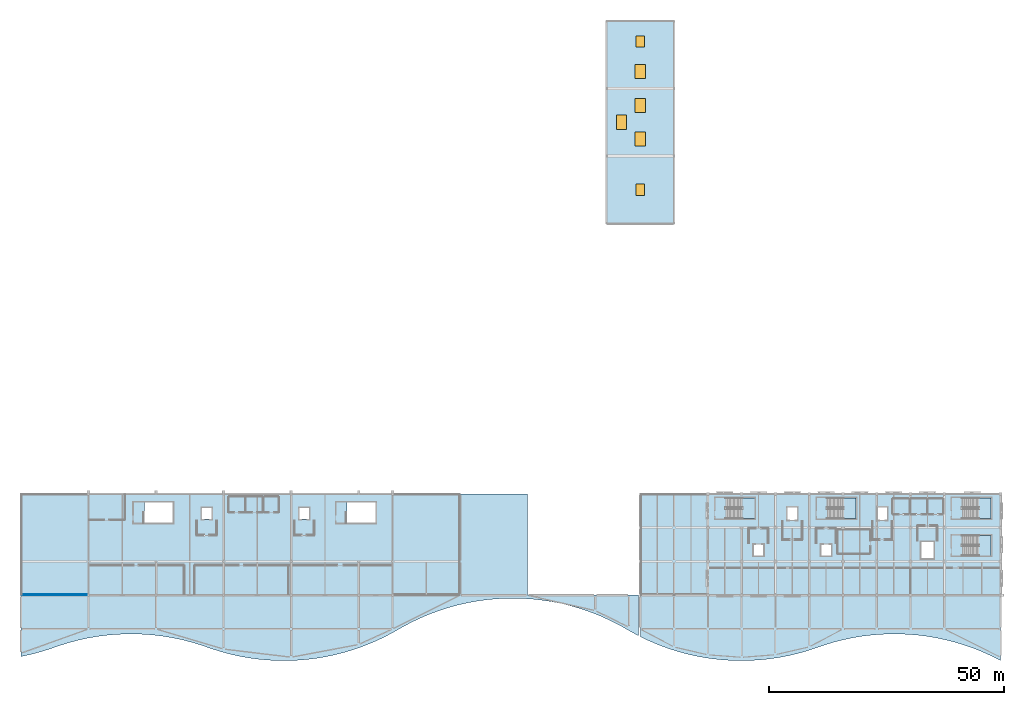
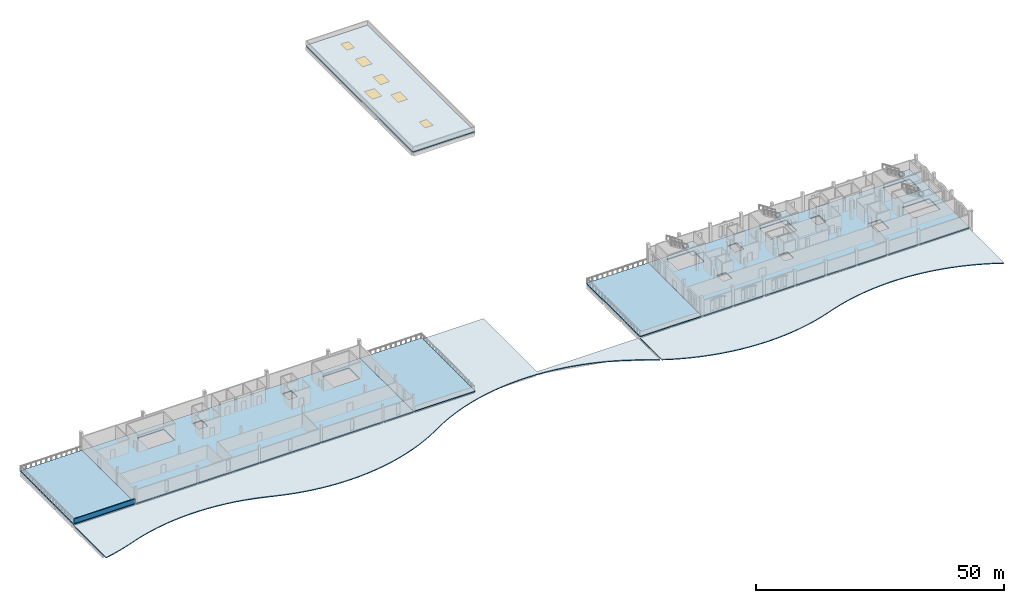
# One storey, part 5 of 23: 12 slabs, 6 windows, 1 wall, 6 openings, 4 elements without a shape of their own.
"""IFC4 building model written with IfcOpenShell, lengths in metres."""

from ifc_helpers import new_model, si_unit, direction, frame, frame_2d, origin, origin_2d, place, context, subcontext, project, spatial, polyline, rectangle, outline, extrude, material, layer, layer_set, type_object, element, fill, aggregate, save


model = new_model("IFC4")

# Units and contexts
model_context = context("Model", 3, precision=1e-05, world=origin(), true_north=direction((0.0, 1.0)))
body_context = subcontext(model_context, "Body", "Model", "MODEL_VIEW")
ifc_project = project(units=[si_unit("LENGTHUNIT", "METRE"), si_unit("AREAUNIT", "SQUARE_METRE"), si_unit("VOLUMEUNIT", "CUBIC_METRE"), si_unit("PLANEANGLEUNIT", "RADIAN"), si_unit("MASSUNIT", "GRAM", prefix="KILO")], contexts=[model_context])

# Site, building, storey
site_placement = place(None, origin())
site = spatial("IfcSite", under=ifc_project, at=site_placement, CompositionType="ELEMENT")
building_placement = place(site_placement, origin())
building = spatial("IfcBuilding", under=site, at=building_placement, Name="Cendralis Lancet Convention Centre", CompositionType="ELEMENT")
storey_placement = place(building_placement, frame((0.0, 0.0, 19.800048828125)))
storey = spatial("IfcBuildingStorey", under=building, at=storey_placement, Name="L04", CompositionType="ELEMENT", Elevation=19.800048828125)

# Slabs
ifc_material_1 = material(Name="Concrete G35 (C35/45)", Category="concrete")
ifc_layer_1 = layer(ifc_material_1, 0.239990234375, Name="Concrete G35 (C35/45)")
ifc_layer_set_1 = layer_set([ifc_layer_1], Name="Concrete G35 (C35/45)")
slab_type_1 = type_object("IfcSlabType", Name="STR-SL-FS24", PredefinedType="FLOOR", material=ifc_layer_set_1)
slab_1_placement = place(storey_placement, frame((0.0, 0.0, -0.239990234375)))
element("IfcSlab", 1, at=slab_1_placement, inside=storey, type_object=slab_type_1, Name="L04 V4 Floor Slab FS-240", PredefinedType="FLOOR", context=body_context, shape_type="SweptSolid", body=[
    extrude(outline(polyline([(14.39990234375, 14.39990234375), (79.199951171875, 14.39990234375), (79.199951171875, 36.0), (14.39990234375, 36.0), (14.39990234375, 14.39990234375)]), holes=[polyline([(26.31005859375, 29.800048828125), (32.39990234375, 29.800048828125), (32.39990234375, 34.179931640625), (26.31005859375, 34.179931640625), (26.31005859375, 29.800048828125)]), polyline([(69.510009765625, 29.800048828125), (75.60009765625, 29.800048828125), (75.60009765625, 34.179931640625), (69.510009765625, 34.179931640625), (69.510009765625, 29.800048828125)]), polyline([(38.550048828125, 30.60009765625), (40.64990234375, 30.60009765625), (40.64990234375, 33.0), (38.550048828125, 33.0), (38.550048828125, 30.60009765625)]), polyline([(59.35009765625, 30.60009765625), (61.449951171875, 30.60009765625), (61.449951171875, 33.0), (59.35009765625, 33.0), (59.35009765625, 30.60009765625)])]), origin(), (0.0, 0.0, 1.0), 0.239990234375),
])
slab_2_placement = place(storey_placement, frame((0.0, 0.0, -0.239990234375)))
element("IfcSlab", 2, at=slab_2_placement, inside=storey, type_object=slab_type_1, Name="L04 V5 Floor Slab FS-240", PredefinedType="FLOOR", context=body_context, shape_type="SweptSolid", body=[
    extrude(outline(polyline([(146.39990234375, 14.39990234375), (208.800048828125, 14.39990234375), (208.800048828125, 36.0), (146.39990234375, 36.0), (146.39990234375, 14.39990234375)]), holes=[polyline([(150.31005859375, 30.75), (156.39990234375, 30.75), (156.39990234375, 35.1298828125), (150.31005859375, 35.1298828125), (150.31005859375, 30.75)]), polyline([(171.909912109375, 30.75), (178.0, 30.75), (178.0, 35.1298828125), (171.909912109375, 35.1298828125), (171.909912109375, 30.75)]), polyline([(200.7099609375, 22.800048828125), (206.800048828125, 22.800048828125), (206.800048828125, 27.179931640625), (200.7099609375, 27.179931640625), (200.7099609375, 22.800048828125)]), polyline([(200.7099609375, 30.75), (206.800048828125, 30.75), (206.800048828125, 35.1298828125), (200.7099609375, 35.1298828125), (200.7099609375, 30.75)]), polyline([(163.35009765625, 30.449951171875), (165.449951171875, 30.449951171875), (165.449951171875, 33.14990234375), (163.35009765625, 33.14990234375), (163.35009765625, 30.449951171875)]), polyline([(182.550048828125, 30.449951171875), (184.64990234375, 30.449951171875), (184.64990234375, 33.14990234375), (182.550048828125, 33.14990234375), (182.550048828125, 30.449951171875)]), polyline([(156.14990234375, 22.800048828125), (158.25, 22.800048828125), (158.25, 25.199951171875), (156.14990234375, 25.199951171875), (156.14990234375, 22.800048828125)]), polyline([(170.550048828125, 22.800048828125), (172.64990234375, 22.800048828125), (172.64990234375, 25.199951171875), (170.550048828125, 25.199951171875), (170.550048828125, 22.800048828125)]), polyline([(191.85009765625, 22.25), (194.550048828125, 22.25), (194.550048828125, 25.75), (191.85009765625, 25.75), (191.85009765625, 22.25)])]), origin(), (0.0, 0.0, 1.0), 0.239990234375),
])

# Stair, slab
stair_type = type_object("IfcStairType", Name="ARC-ST-CORE", PredefinedType="HALF_TURN_STAIR", material=ifc_material_1)
stair_1_placement = place(storey_placement, origin())
stair_1 = element("IfcStair", 3, at=stair_1_placement, inside=storey, type_object=stair_type, Name="L04 Protected Exit Stair ST-13", PredefinedType="HALF_TURN_STAIR")
ifc_layer_2 = layer(ifc_material_1, 0.199951171875, Name="Concrete G35 (C35/45)")
ifc_layer_set_2 = layer_set([ifc_layer_2], Name="Concrete G35 (C35/45)")
slab_type_2 = type_object("IfcSlabType", Name="STR-SL-LAND", PredefinedType="LANDING", material=ifc_layer_set_2)
slab_3_placement = place(storey_placement, frame((0.0, 0.0, 2.199951171875)))
slab_3 = element("IfcSlab", 4, at=slab_3_placement, type_object=slab_type_2, Name="ST-13 landing 1", PredefinedType="LANDING", context=body_context, shape_type="SweptSolid", body=[
    extrude(outline(polyline([(153.6298828125, 30.75), (156.39990234375, 30.75), (156.39990234375, 35.1298828125), (153.6298828125, 35.1298828125), (153.6298828125, 30.75)])), origin(), (0.0, 0.0, 1.0), 0.199951171875),
])
aggregate(stair_1, [slab_3])

stair_2_placement = place(storey_placement, origin())
stair_2 = element("IfcStair", 5, at=stair_2_placement, inside=storey, type_object=stair_type, Name="L04 Protected Exit Stair ST-14", PredefinedType="HALF_TURN_STAIR")
slab_4_placement = place(storey_placement, frame((0.0, 0.0, 2.199951171875)))
slab_4 = element("IfcSlab", 6, at=slab_4_placement, type_object=slab_type_2, Name="ST-14 landing 1", PredefinedType="LANDING", context=body_context, shape_type="SweptSolid", body=[
    extrude(outline(polyline([(175.22998046875, 30.75), (178.0, 30.75), (178.0, 35.1298828125), (175.22998046875, 35.1298828125), (175.22998046875, 30.75)])), origin(), (0.0, 0.0, 1.0), 0.199951171875),
])
aggregate(stair_2, [slab_4])

stair_3_placement = place(storey_placement, origin())
stair_3 = element("IfcStair", 7, at=stair_3_placement, inside=storey, type_object=stair_type, Name="L04 Protected Exit Stair ST-15", PredefinedType="HALF_TURN_STAIR")
slab_5_placement = place(storey_placement, frame((0.0, 0.0, 2.199951171875)))
slab_5 = element("IfcSlab", 8, at=slab_5_placement, type_object=slab_type_2, Name="ST-15 landing 1", PredefinedType="LANDING", context=body_context, shape_type="SweptSolid", body=[
    extrude(outline(polyline([(204.030029296875, 22.800048828125), (206.800048828125, 22.800048828125), (206.800048828125, 27.179931640625), (204.030029296875, 27.179931640625), (204.030029296875, 22.800048828125)])), origin(), (0.0, 0.0, 1.0), 0.199951171875),
])
aggregate(stair_3, [slab_5])

stair_4_placement = place(storey_placement, origin())
stair_4 = element("IfcStair", 9, at=stair_4_placement, inside=storey, type_object=stair_type, Name="L04 Protected Exit Stair ST-16", PredefinedType="HALF_TURN_STAIR")
slab_6_placement = place(storey_placement, frame((0.0, 0.0, 2.199951171875)))
slab_6 = element("IfcSlab", 10, at=slab_6_placement, type_object=slab_type_2, Name="ST-16 landing 1", PredefinedType="LANDING", context=body_context, shape_type="SweptSolid", body=[
    extrude(outline(polyline([(204.030029296875, 30.75), (206.800048828125, 30.75), (206.800048828125, 35.1298828125), (204.030029296875, 35.1298828125), (204.030029296875, 30.75)])), origin(), (0.0, 0.0, 1.0), 0.199951171875),
])
aggregate(stair_4, [slab_6])

# Slab, openings, windows
ifc_layer_3 = layer(ifc_material_1, 0.199951171875, Name="Concrete G35 (C35/45)")
ifc_layer_set_3 = layer_set([ifc_layer_3], Name="Concrete G35 (C35/45)")
slab_type_3 = type_object("IfcSlabType", Name="STR-SL-RF20", PredefinedType="ROOF", material=ifc_layer_set_3)
slab_7_placement = place(storey_placement, frame((0.0, 0.0, -0.25)))
slab_7 = element("IfcSlab", 11, at=slab_7_placement, inside=storey, type_object=slab_type_3, Name="L04 Roof Deck Slab V3PAV", PredefinedType="ROOF", context=body_context, shape_type="SweptSolid", body=[
    extrude(outline(polyline([(124.800048828125, 93.60009765625), (139.199951171875, 93.60009765625), (139.199951171875, 136.800048828125), (124.800048828125, 136.800048828125), (124.800048828125, 93.60009765625)])), origin(), (0.0, 0.0, 1.0), 0.25),
])
opening_1_placement = place(slab_7_placement, frame((132.0, 100.800048828125, -0.010009765625)))
opening_1 = element("IfcOpeningElement", 12, at=opening_1_placement, cuts=slab_7, Name="Opening SK-01", PredefinedType="OPENING", context=body_context, shape_type="SweptSolid", body=[
    extrude(rectangle(XDim=1.800048828125, YDim=2.39990234375, at=origin_2d()), origin(), (0.0, 0.0, 1.0), 0.27001953125),
])
opening_2_placement = place(slab_7_placement, frame((132.0, 111.60009765625, -0.010009765625)))
opening_2 = element("IfcOpeningElement", 13, at=opening_2_placement, cuts=slab_7, Name="Opening SK-02", PredefinedType="OPENING", context=body_context, shape_type="SweptSolid", body=[
    extrude(rectangle(XDim=2.199951171875, YDim=3.0, at=origin_2d()), origin(), (0.0, 0.0, 1.0), 0.27001953125),
])
opening_3_placement = place(slab_7_placement, frame((132.0, 118.800048828125, -0.010009765625)))
opening_3 = element("IfcOpeningElement", 14, at=opening_3_placement, cuts=slab_7, Name="Opening SK-02", PredefinedType="OPENING", context=body_context, shape_type="SweptSolid", body=[
    extrude(rectangle(XDim=2.199951171875, YDim=3.0, at=origin_2d()), origin(), (0.0, 0.0, 1.0), 0.27001953125),
])
opening_4_placement = place(slab_7_placement, frame((132.0, 126.0, -0.010009765625)))
opening_4 = element("IfcOpeningElement", 15, at=opening_4_placement, cuts=slab_7, Name="Opening SK-02", PredefinedType="OPENING", context=body_context, shape_type="SweptSolid", body=[
    extrude(rectangle(XDim=2.199951171875, YDim=3.0, at=origin_2d()), origin(), (0.0, 0.0, 1.0), 0.27001953125),
])
opening_5_placement = place(slab_7_placement, frame((128.0, 115.199951171875, -0.010009765625)))
opening_5 = element("IfcOpeningElement", 16, at=opening_5_placement, cuts=slab_7, Name="Opening SK-02", PredefinedType="OPENING", context=body_context, shape_type="SweptSolid", body=[
    extrude(rectangle(XDim=2.199951171875, YDim=3.0, at=origin_2d()), origin(), (0.0, 0.0, 1.0), 0.27001953125),
])
opening_6_placement = place(slab_7_placement, frame((132.0, 132.39990234375, -0.010009765625)))
opening_6 = element("IfcOpeningElement", 17, at=opening_6_placement, cuts=slab_7, Name="Opening SK-01", PredefinedType="OPENING", context=body_context, shape_type="SweptSolid", body=[
    extrude(rectangle(XDim=1.800048828125, YDim=2.39990234375, at=origin_2d()), origin(), (0.0, 0.0, 1.0), 0.27001953125),
])
ifc_material_2 = material(Name="Double-glazed low-E solar-control glass", Category="glass")
window_type_1 = type_object("IfcWindowType", Name="ARC-SK-SK01", PartitioningType="SINGLE_PANEL", PredefinedType="SKYLIGHT", material=ifc_material_2)
window_1_placement = place(slab_7_placement, frame((132.0, 100.800048828125, 0.199951171875)))
window_1 = element("IfcWindow", 18, at=window_1_placement, inside=storey, type_object=window_type_1, Name="Roof Skylight SK-01 #11", OverallHeight=2.39990234375, OverallWidth=1.800048828125, PartitioningType="SINGLE_PANEL", PredefinedType="SKYLIGHT", context=body_context, shape_type="SweptSolid", body=[
    extrude(rectangle(XDim=1.800048828125, YDim=2.39990234375, at=origin_2d()), origin(), (0.0, 0.0, 1.0), 0.050048828125),
])
fill(opening_1, window_1)
window_2_placement = place(slab_7_placement, frame((132.0, 132.39990234375, 0.199951171875)))
window_2 = element("IfcWindow", 19, at=window_2_placement, inside=storey, type_object=window_type_1, Name="Roof Skylight SK-01 #16", OverallHeight=2.39990234375, OverallWidth=1.800048828125, PartitioningType="SINGLE_PANEL", PredefinedType="SKYLIGHT", context=body_context, shape_type="SweptSolid", body=[
    extrude(rectangle(XDim=1.800048828125, YDim=2.39990234375, at=origin_2d()), origin(), (0.0, 0.0, 1.0), 0.050048828125),
])
fill(opening_6, window_2)
window_type_2 = type_object("IfcWindowType", Name="ARC-SK-SK02", PartitioningType="SINGLE_PANEL", PredefinedType="SKYLIGHT", material=ifc_material_2)
window_3_placement = place(slab_7_placement, frame((132.0, 111.60009765625, 0.199951171875)))
window_3 = element("IfcWindow", 20, at=window_3_placement, inside=storey, type_object=window_type_2, Name="Roof Skylight SK-02 #12", OverallHeight=3.0, OverallWidth=2.199951171875, PartitioningType="SINGLE_PANEL", PredefinedType="SKYLIGHT", context=body_context, shape_type="SweptSolid", body=[
    extrude(rectangle(XDim=2.199951171875, YDim=3.0, at=origin_2d()), origin(), (0.0, 0.0, 1.0), 0.050048828125),
])
fill(opening_2, window_3)
window_4_placement = place(slab_7_placement, frame((132.0, 118.800048828125, 0.199951171875)))
window_4 = element("IfcWindow", 21, at=window_4_placement, inside=storey, type_object=window_type_2, Name="Roof Skylight SK-02 #13", OverallHeight=3.0, OverallWidth=2.199951171875, PartitioningType="SINGLE_PANEL", PredefinedType="SKYLIGHT", context=body_context, shape_type="SweptSolid", body=[
    extrude(rectangle(XDim=2.199951171875, YDim=3.0, at=origin_2d()), origin(), (0.0, 0.0, 1.0), 0.050048828125),
])
fill(opening_3, window_4)
window_5_placement = place(slab_7_placement, frame((132.0, 126.0, 0.199951171875)))
window_5 = element("IfcWindow", 22, at=window_5_placement, inside=storey, type_object=window_type_2, Name="Roof Skylight SK-02 #14", OverallHeight=3.0, OverallWidth=2.199951171875, PartitioningType="SINGLE_PANEL", PredefinedType="SKYLIGHT", context=body_context, shape_type="SweptSolid", body=[
    extrude(rectangle(XDim=2.199951171875, YDim=3.0, at=origin_2d()), origin(), (0.0, 0.0, 1.0), 0.050048828125),
])
fill(opening_4, window_5)
window_6_placement = place(slab_7_placement, frame((128.0, 115.199951171875, 0.199951171875)))
window_6 = element("IfcWindow", 23, at=window_6_placement, inside=storey, type_object=window_type_2, Name="Roof Skylight SK-02 #15", OverallHeight=3.0, OverallWidth=2.199951171875, PartitioningType="SINGLE_PANEL", PredefinedType="SKYLIGHT", context=body_context, shape_type="SweptSolid", body=[
    extrude(rectangle(XDim=2.199951171875, YDim=3.0, at=origin_2d()), origin(), (0.0, 0.0, 1.0), 0.050048828125),
])
fill(opening_5, window_6)

# Slabs
ifc_layer_4 = layer(ifc_material_1, 0.219970703125, Name="Concrete G35 (C35/45)")
ifc_layer_set_4 = layer_set([ifc_layer_4], Name="Concrete G35 (C35/45)")
slab_type_4 = type_object("IfcSlabType", Name="STR-SL-RF22", PredefinedType="ROOF", material=ifc_layer_set_4)
slab_8_placement = place(storey_placement, frame((0.0, 0.0, -0.570068359375)))
element("IfcSlab", 24, at=slab_8_placement, inside=storey, type_object=slab_type_4, Name="L04 Roof Deck Slab V4WAV", PredefinedType="ROOF", context=body_context, shape_type="SweptSolid", body=[
    extrude(outline(polyline([(0.0, 1.324951171875), (2.02490234375, 1.762939453125), (4.050048828125, 2.2939453125), (6.075927734375, 2.9208984375), (8.10107421875, 3.6259765625), (10.1259765625, 4.260009765625), (12.15087890625, 4.798095703125), (14.177001953125, 5.242919921875), (16.201904296875, 5.597900390625), (18.22705078125, 5.864013671875), (20.251953125, 6.04296875), (22.278076171875, 6.135009765625), (24.302978515625, 6.14306640625), (26.327880859375, 6.06396484375), (28.35302734375, 5.89990234375), (30.3779296875, 5.64892578125), (32.404052734375, 5.31005859375), (34.428955078125, 4.8798828125), (36.4541015625, 4.35791015625), (38.47900390625, 3.739990234375), (40.5048828125, 3.035888671875), (42.530029296875, 2.39306640625), (44.554931640625, 1.845947265625), (46.580078125, 1.39306640625), (48.60595703125, 1.030029296875), (50.631103515625, 0.757080078125), (52.656005859375, 0.570068359375), (54.680908203125, 0.468994140625), (56.7060546875, 0.455078125), (58.73193359375, 0.52490234375), (60.757080078125, 0.680908203125), (62.781982421875, 0.925048828125), (64.806884765625, 1.256103515625), (66.8330078125, 1.677001953125), (68.85791015625, 2.19091796875), (70.883056640625, 2.800048828125), (72.907958984375, 3.508056640625), (74.93408203125, 4.321044921875), (76.958984375, 5.243896484375), (78.98388671875, 6.283935546875), (81.009033203125, 7.43896484375), (83.033935546875, 8.531005859375), (85.06005859375, 9.5029296875), (87.0849609375, 10.361083984375), (89.110107421875, 11.113037109375), (91.135009765625, 11.763916015625), (93.160888671875, 12.318115234375), (95.18603515625, 12.777099609375), (97.2109375, 13.14599609375), (99.236083984375, 13.426025390625), (101.261962890625, 13.618896484375), (103.287109375, 13.72607421875), (105.31201171875, 13.7470703125), (107.3369140625, 13.68310546875), (109.362060546875, 13.532958984375), (111.387939453125, 13.2958984375), (113.4130859375, 12.970947265625), (115.43798828125, 12.555908203125), (117.462890625, 12.050048828125), (119.489013671875, 11.447021484375), (121.513916015625, 10.74609375), (123.5390625, 9.94091796875), (125.56396484375, 9.027099609375), (127.590087890625, 7.9951171875), (129.614990234375, 6.843994140625), (131.639892578125, 5.742919921875), (131.639892578125, 14.39990234375), (108.0, 14.39990234375), (108.0, 36.0), (93.60009765625, 36.0), (93.60009765625, 14.39990234375), (0.0, 14.39990234375), (0.0, 1.324951171875)])), origin(), (0.0, 0.0, 1.0), 0.219970703125),
])
slab_9_placement = place(storey_placement, frame((0.0, 0.0, -0.570068359375)))
element("IfcSlab", 25, at=slab_9_placement, inside=storey, type_object=slab_type_4, Name="L04 Roof Deck Slab V5WAV", PredefinedType="ROOF", context=body_context, shape_type="SweptSolid", body=[
    extrude(outline(polyline([(132.0, 5.56005859375), (133.968994140625, 4.6259765625), (135.93798828125, 3.798095703125), (137.907958984375, 3.071044921875), (139.876953125, 2.43896484375), (141.845947265625, 1.89892578125), (143.81494140625, 1.447998046875), (145.784912109375, 1.08203125), (147.75390625, 0.801025390625), (149.722900390625, 0.60302734375), (151.69189453125, 0.486083984375), (153.662109375, 0.449951171875), (155.631103515625, 0.4951171875), (157.60009765625, 0.62109375), (159.569091796875, 0.8291015625), (161.5380859375, 1.118896484375), (163.508056640625, 1.493896484375), (165.47705078125, 1.955078125), (167.446044921875, 2.5048828125), (169.4150390625, 3.14697265625), (171.385009765625, 3.825927734375), (173.35400390625, 4.416015625), (175.322998046875, 4.916015625), (177.2919921875, 5.327880859375), (179.261962890625, 5.655029296875), (181.23095703125, 5.89794921875), (183.199951171875, 6.06005859375), (185.1689453125, 6.139892578125), (187.137939453125, 6.139892578125), (189.10791015625, 6.05810546875), (191.076904296875, 5.89501953125), (193.0458984375, 5.64990234375), (195.014892578125, 5.322021484375), (196.985107421875, 4.907958984375), (198.9541015625, 4.407958984375), (200.923095703125, 3.81591796875), (202.89208984375, 3.131103515625), (204.862060546875, 2.347900390625), (206.8310546875, 1.4609375), (208.800048828125, 0.464111328125), (208.800048828125, 14.39990234375), (132.0, 14.39990234375), (132.0, 5.56005859375)])), origin(), (0.0, 0.0, 1.0), 0.219970703125),
])
ifc_layer_5 = layer(ifc_material_1, 0.25, Name="Concrete G35 (C35/45)")
ifc_layer_set_5 = layer_set([ifc_layer_5], Name="Concrete G35 (C35/45)")
slab_type_5 = type_object("IfcSlabType", Name="STR-SL-RG25", PredefinedType="FLOOR", material=ifc_layer_set_5)
slab_10_placement = place(storey_placement, frame((0.0, 0.0, -0.25)))
element("IfcSlab", 26, at=slab_10_placement, inside=storey, type_object=slab_type_5, Name="L04 V4 Roof Garden Slab RG-250", PredefinedType="FLOOR", context=body_context, shape_type="SweptSolid", body=[
    extrude(outline(polyline([(0.0, 14.39990234375), (14.39990234375, 14.39990234375), (14.39990234375, 36.0), (0.0, 36.0), (0.0, 14.39990234375)])), origin(), (0.0, 0.0, 1.0), 0.25),
])
slab_11_placement = place(storey_placement, frame((0.0, 0.0, -0.25)))
element("IfcSlab", 27, at=slab_11_placement, inside=storey, type_object=slab_type_5, Name="L04 V4 Roof Garden Slab RG-250", PredefinedType="FLOOR", context=body_context, shape_type="SweptSolid", body=[
    extrude(outline(polyline([(79.199951171875, 14.39990234375), (93.60009765625, 14.39990234375), (93.60009765625, 36.0), (79.199951171875, 36.0), (79.199951171875, 14.39990234375)])), origin(), (0.0, 0.0, 1.0), 0.25),
])
slab_12_placement = place(storey_placement, frame((0.0, 0.0, -0.25)))
element("IfcSlab", 28, at=slab_12_placement, inside=storey, type_object=slab_type_5, Name="L04 V5 Roof Garden Slab RG-250", PredefinedType="FLOOR", context=body_context, shape_type="SweptSolid", body=[
    extrude(outline(polyline([(132.0, 14.39990234375), (146.39990234375, 14.39990234375), (146.39990234375, 36.0), (132.0, 36.0), (132.0, 14.39990234375)])), origin(), (0.0, 0.0, 1.0), 0.25),
])

# Wall
ifc_material_3 = material(Name="Buff sandstone ashlar and Concrete G40 (C40/50)", Category="masonry")
ifc_layer_6 = layer(ifc_material_3, 0.18994140625, Name="Buff sandstone ashlar and Concrete G40 (C40/50)")
ifc_layer_set_6 = layer_set([ifc_layer_6], Name="Buff sandstone ashlar and Concrete G40 (C40/50)")
wall_type = type_object("IfcWallType", Name="ARC-EW-P190", PredefinedType="PARAPET", material=ifc_layer_set_6)
wall_placement = place(storey_placement, frame((0.1201171875, 14.5, 0.0), z_axis=(0.0, 0.0, 1.0), x_axis=(1.0, 0.0, 0.0)))
element("IfcWall", 29, at=wall_placement, inside=storey, type_object=wall_type, Name="L04 Roof Parapet Wall PR-02 #009", PredefinedType="PARAPET", context=body_context, shape_type="SweptSolid", body=[
    extrude(rectangle(XDim=14.27978515625, YDim=0.18994140625, at=frame_2d((7.139892578125, 0.0))), origin(), (0.0, 0.0, 1.0), 1.119873046875),
])

save(model, "model.ifc")
